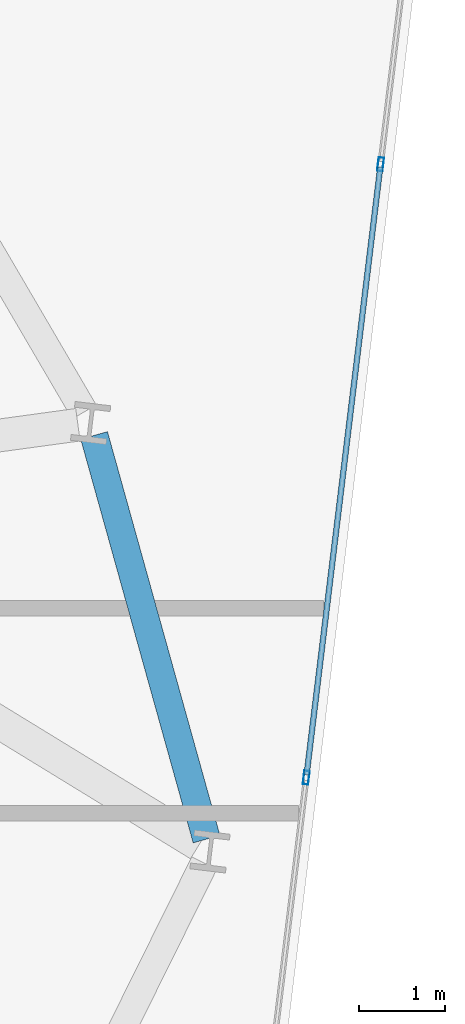
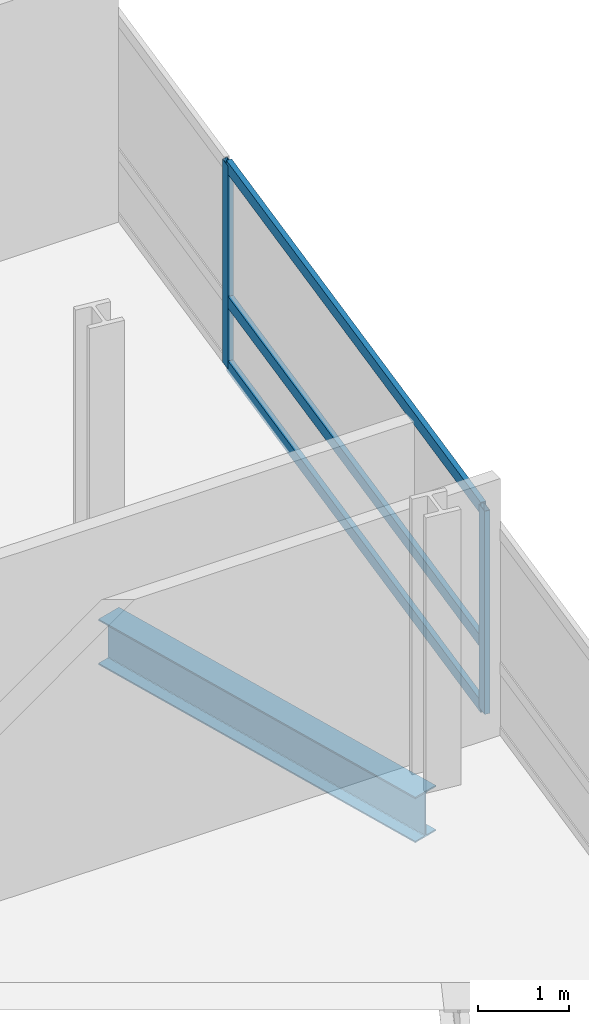
# One storey, part 16 of 26: 5 members, 1 beam, 1 element without a shape of its own.
"""IFC4 building model written with IfcOpenShell, lengths in metres."""

import ifcopenshell
import ifcopenshell.guid

model = None  # the IFC model being written
_history = None  # IfcOwnerHistory: only IFC2X3 demands one
_inside = {}  # id of a spatial element -> (the spatial element, [elements in it])
_under = {}  # id of a project, library or spatial element -> (it, [spatial elements below it])
_declared = {}  # id of a project -> (the project, [libraries it declares])
_typed = {}  # id of a type object -> (the type object, [elements of that type])
_made_of = {}  # id of a material, layer set ... -> (it, [elements and type objects made of it])


def new_model(schema):
    """Start an empty IFC model of exactly this schema.

    Asked for "IFC4X3", IfcOpenShell would pick the latest addendum, in which some entities
    have other attributes; the version numbers below select the first issue.
    IFC2X3 requires an IfcOwnerHistory on every rooted entity: one is made here for all.
    """
    global model, _history
    if schema == "IFC4X3":
        model = ifcopenshell.file(schema_version=(4, 3, 0, 0))
    else:
        model = ifcopenshell.file(schema=schema)
    _inside.clear()
    _under.clear()
    _declared.clear()
    _typed.clear()
    _made_of.clear()
    _history = None
    if model.schema == "IFC2X3":
        org = make("IfcOrganization", Name="unknown")
        user = make(
            "IfcPersonAndOrganization",
            ThePerson=make("IfcPerson", FamilyName="unknown"),
            TheOrganization=org,
        )
        app = make(
            "IfcApplication",
            ApplicationDeveloper=org,
            Version="unknown",
            ApplicationFullName="unknown",
            ApplicationIdentifier="unknown",
        )
        _history = make(
            "IfcOwnerHistory",
            OwningUser=user,
            OwningApplication=app,
            ChangeAction="ADDED",
            CreationDate=0,
        )
    return model


def make(cls, **values):
    """One entity of the class cls with the attributes given. An attribute that is None is left unset."""
    return model.create_entity(
        cls, **{name: value for name, value in values.items() if value is not None}
    )


def rooted(cls, **values):
    """An entity with a GlobalId (a new one), such as an element, a storey or a relation."""
    return make(cls, GlobalId=ifcopenshell.guid.new(), OwnerHistory=_history, **values)


def si_unit(unit_type, name, prefix=None):
    """IfcSIUnit, for example si_unit("LENGTHUNIT", "METRE", prefix="MILLI")."""
    return make("IfcSIUnit", UnitType=unit_type, Prefix=prefix, Name=name)


def assignment(units):
    """IfcUnitAssignment: the units of a project."""
    return None if units is None else make("IfcUnitAssignment", Units=units)


def point(xyz):
    """IfcCartesianPoint."""
    return None if xyz is None else make("IfcCartesianPoint", Coordinates=xyz)


def direction(xyz):
    """IfcDirection."""
    return None if xyz is None else make("IfcDirection", DirectionRatios=xyz)


def frame(location, z_axis=None, x_axis=None):
    """IfcAxis2Placement3D, a coordinate frame: its origin and axes. An axis left out is left unset."""
    return make(
        "IfcAxis2Placement3D",
        Location=point(location),
        Axis=direction(z_axis),
        RefDirection=direction(x_axis),
    )


def frame_2d(location, x_axis=None):
    """IfcAxis2Placement2D, a coordinate frame in the plane: its origin and x axis."""
    return make(
        "IfcAxis2Placement2D", Location=point(location), RefDirection=direction(x_axis)
    )


def origin():
    """The frame at (0, 0, 0) with its axes left unset."""
    return frame((0.0, 0.0, 0.0))


def origin_2d():
    """The frame at (0, 0) in the plane with its x axis left unset."""
    return frame_2d((0.0, 0.0))


def place(relative_to, where):
    """IfcLocalPlacement: puts the frame where relative to a parent placement (None: the world)."""
    return make(
        "IfcLocalPlacement", PlacementRelTo=relative_to, RelativePlacement=where
    )


def context(
    kind, dimensions, precision=None, world=None, true_north=None, identifier=None
):
    """IfcGeometricRepresentationContext, for example the 3D "Model" context."""
    return make(
        "IfcGeometricRepresentationContext",
        ContextIdentifier=identifier,
        ContextType=kind,
        CoordinateSpaceDimension=dimensions,
        Precision=precision,
        WorldCoordinateSystem=world,
        TrueNorth=true_north,
    )


def subcontext(parent, identifier, kind, view, scale=None):
    """IfcGeometricRepresentationSubContext, for example "Body" below "Model"."""
    return make(
        "IfcGeometricRepresentationSubContext",
        ContextIdentifier=identifier,
        ContextType=kind,
        ParentContext=parent,
        TargetScale=scale,
        TargetView=view,
    )


def project(units=None, contexts=None):
    """IfcProject with its units and contexts."""
    return rooted(
        "IfcProject",
        Name="project",
        RepresentationContexts=contexts,
        UnitsInContext=assignment(units),
    )


def spatial(cls, under=None, at=None, **own):
    """A site, building, storey or space (cls), placed at a placement, below another one or the project."""
    s = rooted(cls, ObjectPlacement=at, **own)
    if under is not None:
        _under.setdefault(under.id(), (under, []))[1].append(s)
    return s


def profile(cls, at=None, kind="AREA", **sizes):
    """A parametric profile (cls). Its sizes go by their IFC names, for example OverallWidth=200.0."""
    return make(cls, ProfileType=kind, Position=at, **sizes)


def hollow_rectangle(**sizes):
    """IfcRectangleHollowProfileDef."""
    return profile("IfcRectangleHollowProfileDef", **sizes)


def i_section(**sizes):
    """IfcIShapeProfileDef."""
    return profile("IfcIShapeProfileDef", **sizes)


def extrude(swept, where, along, depth):
    """IfcExtrudedAreaSolid: the profile swept, set in the frame where, extruded along a direction by depth."""
    return make(
        "IfcExtrudedAreaSolid",
        SweptArea=swept,
        Position=where,
        ExtrudedDirection=direction(along),
        Depth=depth,
    )


def shape(context_of_items, identifier, shape_type, items):
    """IfcShapeRepresentation: the items that make up one representation, for example the "Body"."""
    return make(
        "IfcShapeRepresentation",
        ContextOfItems=context_of_items,
        RepresentationIdentifier=identifier,
        RepresentationType=shape_type,
        Items=items,
    )


def material(Name=None, Category=None):
    """IfcMaterial."""
    return make("IfcMaterial", Name=Name, Category=Category)


def layer(
    of_material, thickness, ventilated=None, Name=None, Category=None, Priority=None
):
    """IfcMaterialLayer: one layer of a wall or slab, of a material (None: an air gap)."""
    return make(
        "IfcMaterialLayer",
        Material=of_material,
        LayerThickness=thickness,
        IsVentilated=ventilated,
        Name=Name,
        Category=Category,
        Priority=Priority,
    )


def layer_set(layers, Name=None):
    """IfcMaterialLayerSet."""
    return make("IfcMaterialLayerSet", MaterialLayers=layers, LayerSetName=Name)


def material_profile(
    of_material, cross_section, Name=None, Category=None, Priority=None
):
    """IfcMaterialProfile: a cross section and its material."""
    return make(
        "IfcMaterialProfile",
        Name=Name,
        Material=of_material,
        Profile=cross_section,
        Priority=Priority,
        Category=Category,
    )


def profile_set(profiles, Name=None, composite=None):
    """IfcMaterialProfileSet."""
    return make(
        "IfcMaterialProfileSet",
        Name=Name,
        MaterialProfiles=profiles,
        CompositeProfile=composite,
    )


def made_of(thing, what):
    """Note that an element or type object is made of a material, layer set ...; save() writes the relation."""
    if what is not None:
        _made_of.setdefault(what.id(), (what, []))[1].append(thing)
    return thing


def type_object(cls, material=None, **own):
    """A type object (cls), such as IfcWallType, which elements share."""
    return made_of(rooted(cls, **own), material)


def element(
    cls,
    number,
    at=None,
    inside=None,
    cuts=None,
    type_object=None,
    material=None,
    context=None,
    identifier="Body",
    shape_type=None,
    held_by="IfcProductDefinitionShape",
    body=None,
    shapes=None,
    **own,
):
    """One element of the class cls, such as IfcWall. Its Tag is "e" and its number.

    at: its placement. inside: the storey or other place that contains it. cuts: it is an
    opening in that element (IfcRelVoidsElement). A single representation is given by context,
    identifier, shape_type and body (its items); several are given by shapes. held_by: the class
    of the entity that holds the representations. save() writes the other relations.
    """
    e = rooted(cls, Tag="e%d" % number, ObjectPlacement=at, **own)
    if body is not None:
        shapes = [shape(context, identifier, shape_type, body)]
    if shapes is not None:
        e.Representation = make(held_by, Representations=shapes)
    if inside is not None:
        _inside.setdefault(inside.id(), (inside, []))[1].append(e)
    if cuts is not None:
        rooted(
            "IfcRelVoidsElement", RelatingBuildingElement=cuts, RelatedOpeningElement=e
        )
    if type_object is not None:
        _typed.setdefault(type_object.id(), (type_object, []))[1].append(e)
    return made_of(e, material)


def aggregate(whole, parts):
    """IfcRelAggregates: a whole, such as a stair, and the parts it consists of."""
    return rooted("IfcRelAggregates", RelatingObject=whole, RelatedObjects=parts)


def save(model, path):
    """Write the relations noted so far, then the file.

    IfcRelAggregates (storeys below a building ...), IfcRelContainedInSpatialStructure (elements
    in a storey), IfcRelDefinesByType, IfcRelAssociatesMaterial and IfcRelDeclares: one each for
    every whole, place, type object, material and project.
    """
    for whole, parts in _under.values():
        aggregate(whole, parts)
    for where, things in _inside.values():
        rooted(
            "IfcRelContainedInSpatialStructure",
            RelatedElements=things,
            RelatingStructure=where,
        )
    for kind, things in _typed.values():
        rooted("IfcRelDefinesByType", RelatedObjects=things, RelatingType=kind)
    for what, things in _made_of.values():
        rooted("IfcRelAssociatesMaterial", RelatedObjects=things, RelatingMaterial=what)
    for by, libraries in _declared.values():
        rooted("IfcRelDeclares", RelatingContext=by, RelatedDefinitions=libraries)
    model.write(path)


model = new_model("IFC4")

# Units and contexts
model_context = context("Model", 3, precision=1e-05, world=origin(), true_north=direction((0.0, 1.0)))
body_context = subcontext(model_context, "Body", "Model", "MODEL_VIEW")
ifc_project = project(units=[si_unit("LENGTHUNIT", "METRE"), si_unit("AREAUNIT", "SQUARE_METRE"), si_unit("VOLUMEUNIT", "CUBIC_METRE"), si_unit("PLANEANGLEUNIT", "RADIAN"), si_unit("MASSUNIT", "GRAM", prefix="KILO")], contexts=[model_context])

# Site, building, storey
site_placement = place(None, origin())
site = spatial("IfcSite", under=ifc_project, at=site_placement, CompositionType="ELEMENT")
building_placement = place(site_placement, origin())
building = spatial("IfcBuilding", under=site, at=building_placement, Name="Varnelok Gate Tower", CompositionType="ELEMENT")
storey_placement = place(building_placement, frame((0.0, 0.0, 125.39990234375)))
storey = spatial("IfcBuildingStorey", under=building, at=storey_placement, Name="L31", CompositionType="ELEMENT", Elevation=125.39990234375)

# Beam
ifc_material_1 = material(Name="Structural Steel ASTM A992 Grade 50", Category="steel")
ifc_material_profile_1 = material_profile(ifc_material_1, i_section(OverallWidth=0.323974609375, OverallDepth=0.611083984375, WebThickness=0.0126953125, FlangeThickness=0.01904296875, FilletRadius=0.01806640625, at=origin_2d()), Name="W24X104")
ifc_profile_set_1 = profile_set([ifc_material_profile_1], Name="Structural Steel ASTM A992 Grade 50")
beam_type = type_object("IfcBeamType", Name="BM-SPN-W24X104", PredefinedType="SPANDREL", material=ifc_profile_set_1)
beam_placement = place(storey_placement, frame((74.395263671875, 16.54931640625, -0.555419921875), z_axis=(-0.26833732875, 0.963325011613, 0.0), x_axis=(-0.963325011613, -0.26833732875, 0.0)))
element("IfcBeam", 1, at=beam_placement, inside=storey, type_object=beam_type, Name="L31 Perimeter Spandrel Beam 7", PredefinedType="SPANDREL", context=body_context, shape_type="SweptSolid", body=[
    extrude(i_section(OverallWidth=0.323974609375, OverallDepth=0.611083984375, WebThickness=0.0126953125, FlangeThickness=0.01904296875, FilletRadius=0.01806640625, at=origin_2d()), origin(), (0.0, 0.0, 1.0), 4.884033203125),
])

# Curtain wall, members
ifc_material_2 = material(Name="Anodized Aluminum Alloy 6063-T6", Category="aluminium")
ifc_layer = layer(ifc_material_2, 0.179931640625)
ifc_layer_set = layer_set([ifc_layer], Name="Anodized Aluminum Alloy 6063-T6")
curtain_wall_type = type_object("IfcCurtainWallType", Name="CW3-HOTEL-VISION", PredefinedType="USERDEFINED", material=ifc_layer_set)
curtain_wall_placement = place(storey_placement, origin())
curtain_wall = element("IfcCurtainWall", 2, at=curtain_wall_placement, inside=storey, type_object=curtain_wall_type, Name="L31 East End Vision Curtain Wall", ObjectType="UNITISED CURTAIN WALL", PredefinedType="USERDEFINED")
ifc_material_profile_2 = material_profile(ifc_material_2, hollow_rectangle(XDim=0.06494140625, YDim=0.159912109375, WallThickness=0.00390625, at=origin_2d()), Name="ALU160X65X4")
ifc_profile_set_2 = profile_set([ifc_material_profile_2], Name="Anodized Aluminum Alloy 6063-T6")
member_type_1 = type_object("IfcMemberType", Name="CW-MULL-160", PredefinedType="MULLION", material=ifc_profile_set_2)
member_1_placement = place(storey_placement, frame((76.423828125, 24.413818359375, 0.0), z_axis=(0.0, 0.0, 1.0), x_axis=(0.99273188146, -0.120347046212, 0.0)))
member_1 = element("IfcMember", 3, at=member_1_placement, type_object=member_type_1, Name="CW3 mullion 3", PredefinedType="MULLION", context=body_context, shape_type="SweptSolid", body=[
    extrude(hollow_rectangle(XDim=0.06494140625, YDim=0.159912109375, WallThickness=0.00390625, at=origin_2d()), origin(), (0.0, 0.0, 1.0), 2.72998046875),
])
member_2_placement = place(storey_placement, frame((75.557373046875, 17.26611328125, 0.0), z_axis=(0.0, 0.0, 1.0), x_axis=(0.99273188146, -0.120347046212, 0.0)))
member_2 = element("IfcMember", 4, at=member_2_placement, type_object=member_type_1, Name="CW3 mullion 4", PredefinedType="MULLION", context=body_context, shape_type="SweptSolid", body=[
    extrude(hollow_rectangle(XDim=0.06494140625, YDim=0.159912109375, WallThickness=0.00390625, at=origin_2d()), origin(), (0.0, 0.0, 1.0), 2.72998046875),
])
ifc_material_profile_3 = material_profile(ifc_material_2, hollow_rectangle(XDim=0.06494140625, YDim=0.159912109375, WallThickness=0.00390625, at=origin_2d()), Name="ALU160X65X4")
ifc_profile_set_3 = profile_set([ifc_material_profile_3], Name="Anodized Aluminum Alloy 6063-T6")
member_type_2 = type_object("IfcMemberType", Name="CW-TRAN-160", PredefinedType="USERDEFINED", material=ifc_profile_set_3)
member_3_placement = place(storey_placement, frame((76.419921875, 24.381591796875, 0.03271484375), z_axis=(-0.120340564253, -0.992732667235, 0.0), x_axis=(0.992732667235, -0.120340564253, 0.0)))
member_3 = element("IfcMember", 5, at=member_3_placement, type_object=member_type_2, Name="CW3 transom 3.1", ObjectType="TRANSOM", PredefinedType="USERDEFINED", context=body_context, shape_type="SweptSolid", body=[
    extrude(hollow_rectangle(XDim=0.06494140625, YDim=0.159912109375, WallThickness=0.00390625, at=origin_2d()), origin(), (0.0, 0.0, 1.0), 7.135009765625),
])
member_4_placement = place(storey_placement, frame((76.419921875, 24.381591796875, 0.900146484375), z_axis=(-0.120340564253, -0.992732667235, 0.0), x_axis=(0.992732667235, -0.120340564253, 0.0)))
member_4 = element("IfcMember", 6, at=member_4_placement, type_object=member_type_2, Name="CW3 transom 3.2", ObjectType="TRANSOM", PredefinedType="USERDEFINED", context=body_context, shape_type="SweptSolid", body=[
    extrude(hollow_rectangle(XDim=0.06494140625, YDim=0.159912109375, WallThickness=0.00390625, at=origin_2d()), origin(), (0.0, 0.0, 1.0), 7.135009765625),
])
member_5_placement = place(storey_placement, frame((76.419921875, 24.381591796875, 2.697509765625), z_axis=(-0.120340564253, -0.992732667235, 0.0), x_axis=(0.992732667235, -0.120340564253, 0.0)))
member_5 = element("IfcMember", 7, at=member_5_placement, type_object=member_type_2, Name="CW3 transom 3.3", ObjectType="TRANSOM", PredefinedType="USERDEFINED", context=body_context, shape_type="SweptSolid", body=[
    extrude(hollow_rectangle(XDim=0.06494140625, YDim=0.159912109375, WallThickness=0.00390625, at=origin_2d()), origin(), (0.0, 0.0, 1.0), 7.135009765625),
])
aggregate(curtain_wall, [member_1, member_2, member_3, member_4, member_5])

save(model, "model.ifc")
